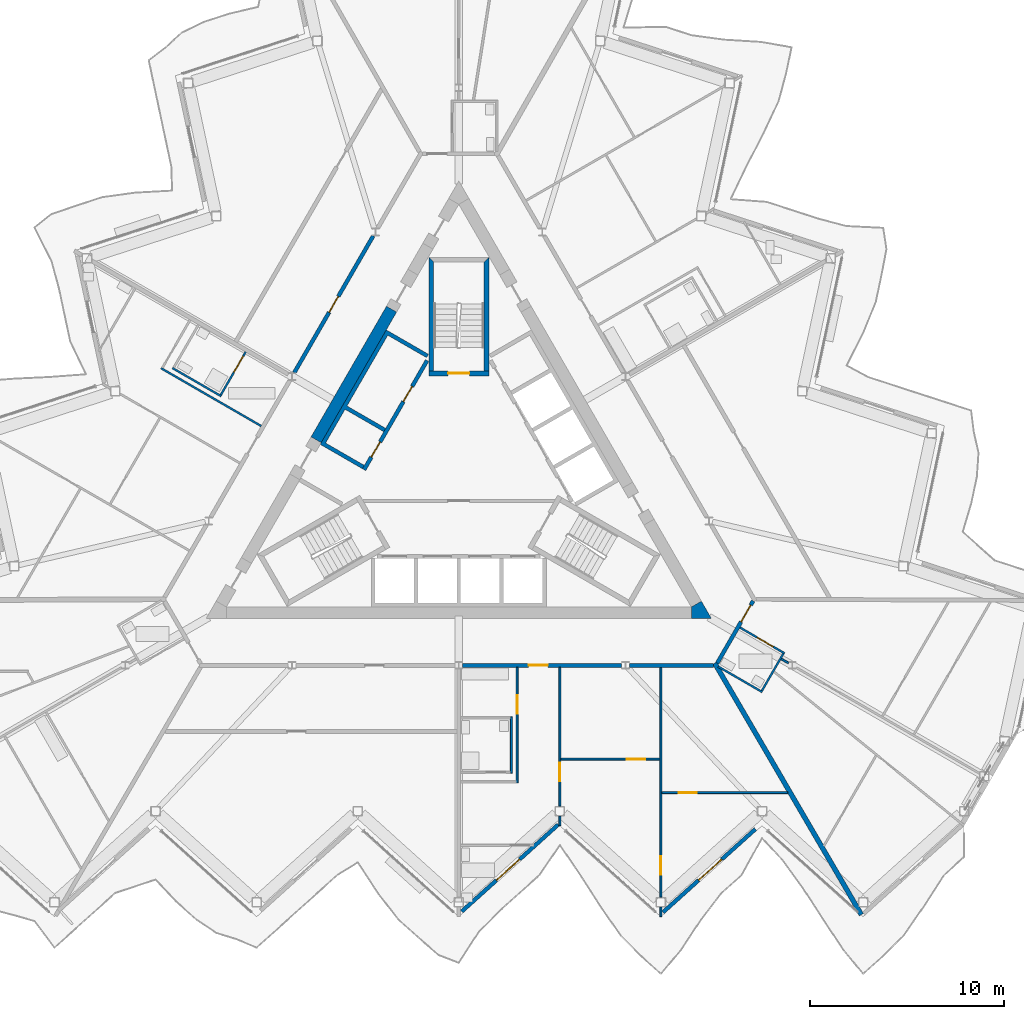
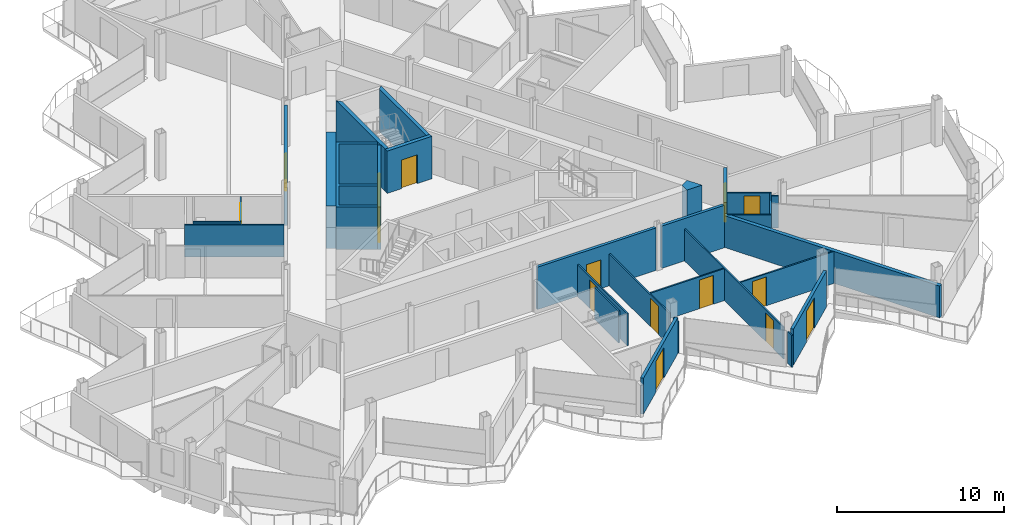
# One storey, part 15 of 27: 29 walls, 15 doors, 15 openings.
"""IFC4 building model written with IfcOpenShell, lengths in metres."""

from ifc_helpers import new_model, si_unit, direction, frame, frame_2d, origin, place, context, subcontext, project, spatial, polyline, rectangle, outline, extrude, material, layer, layer_set, type_object, element, fill, save


model = new_model("IFC4")

# Units and contexts
model_context = context("Model", 3, precision=1e-05, world=origin(), true_north=direction((0.0, 1.0)))
body_context = subcontext(model_context, "Body", "Model", "MODEL_VIEW")
ifc_project = project(units=[si_unit("LENGTHUNIT", "METRE"), si_unit("AREAUNIT", "SQUARE_METRE"), si_unit("VOLUMEUNIT", "CUBIC_METRE"), si_unit("PLANEANGLEUNIT", "RADIAN"), si_unit("MASSUNIT", "GRAM", prefix="KILO")], contexts=[model_context])

# Site, building, storey
site_placement = place(None, origin())
site = spatial("IfcSite", under=ifc_project, at=site_placement, CompositionType="ELEMENT")
building_placement = place(site_placement, origin())
building = spatial("IfcBuilding", under=site, at=building_placement, Name="Cormorant Prow Tower", CompositionType="ELEMENT")
storey_placement = place(building_placement, frame((0.0, 0.0, 361.0)))
storey = spatial("IfcBuildingStorey", under=building, at=storey_placement, Name="L80", CompositionType="ELEMENT", Elevation=361.0)

# Walls
ifc_material_1 = material(Name="Concrete 8000 psi", Category="concrete")
ifc_layer_1 = layer(ifc_material_1, 0.60009765625)
ifc_layer_set_1 = layer_set([ifc_layer_1], Name="Concrete 8000 psi")
wall_type_1 = type_object("IfcWallType", Name="Core shear wall 600", PredefinedType="SHEAR", material=ifc_layer_set_1)
wall_1_placement = place(storey_placement, frame((-3.460693359375, 8.416748046875, 0.0), z_axis=(0.0, 0.0, 1.0), x_axis=(-0.50000391502, -0.866023143435, 0.0)))
element("IfcWall", 1, at=wall_1_placement, inside=storey, type_object=wall_type_1, Name="Core wall", PredefinedType="SHEAR", context=body_context, shape_type="SweptSolid", body=[
    extrude(rectangle(XDim=7.7587890625, YDim=0.60009765625, at=frame_2d((3.87939453125, 0.0))), origin(), (0.0, 0.0, 1.0), 3.10009765625),
])
wall_2_placement = place(storey_placement, origin())
element("IfcWall", 2, at=wall_2_placement, inside=storey, type_object=wall_type_1, Name="Core wall corner", PredefinedType="SHEAR", context=body_context, shape_type="SweptSolid", body=[
    extrude(outline(polyline([(11.960693359375, -7.505615234375), (11.960693359375, -6.905517578125), (12.48046875, -6.605712890625), (13.0, -7.505615234375), (11.960693359375, -7.505615234375)])), origin(), (0.0, 0.0, 1.0), 3.10009765625),
])

# Wall, opening, door
ifc_material_2 = material(Name="Gypsum board corridor wall")
ifc_layer_2 = layer(ifc_material_2, 0.199951171875)
ifc_layer_set_2 = layer_set([ifc_layer_2], Name="Gypsum board corridor wall")
wall_type_2 = type_object("IfcWallType", Name="Corridor wall 200", PredefinedType="PARTITIONING", material=ifc_layer_set_2)
wall_3_placement = place(storey_placement, frame((0.197021484375, -9.905517578125, 0.0), z_axis=(0.0, 0.0, 1.0), x_axis=(1.0, 0.0, 0.0)))
wall_3 = element("IfcWall", 3, at=wall_3_placement, inside=storey, type_object=wall_type_2, Name="Corridor wall", PredefinedType="PARTITIONING", context=body_context, shape_type="SweptSolid", body=[
    extrude(rectangle(XDim=8.1845703125, YDim=0.199951171875, at=frame_2d((4.09228515625, 0.0))), origin(), (0.0, 0.0, 1.0), 3.10009765625),
])
opening_1_placement = place(wall_3_placement, frame((3.3896484375, 0.0, 0.0)))
opening_1 = element("IfcOpeningElement", 4, at=opening_1_placement, cuts=wall_3, Name="Opening L80-F03", PredefinedType="OPENING", context=body_context, shape_type="SweptSolid", body=[
    extrude(rectangle(XDim=1.0, YDim=2.10009765625, at=frame_2d((0.5, 1.050048828125))), frame((0.0, 0.10986328125, 0.0), z_axis=(0.0, -1.0, 0.0), x_axis=(1.0, 0.0, 0.0)), (0.0, 0.0, 1.0), 0.219970703125),
])
ifc_material_3 = material(Name="Timber door leaf", Category="wood")
door_type_1 = type_object("IfcDoorType", Name="Flat or room entrance door 1000x2100", OperationType="NOTDEFINED", PredefinedType="DOOR", material=ifc_material_3)
door_1_placement = place(opening_1_placement, origin())
door_1 = element("IfcDoor", 5, at=door_1_placement, inside=storey, type_object=door_type_1, Name="Living room door", OperationType="SINGLE_SWING_LEFT", OverallHeight=2.10009765625, OverallWidth=1.0, PredefinedType="DOOR", context=body_context, shape_type="SweptSolid", body=[
    extrude(rectangle(XDim=1.0, YDim=2.10009765625, at=frame_2d((0.5, 1.050048828125))), frame((0.0, 0.02490234375, 0.0), z_axis=(0.0, -1.0, 0.0), x_axis=(1.0, 0.0, 0.0)), (0.0, 0.0, 1.0), 0.050048828125),
])
fill(opening_1, door_1)

wall_4_placement = place(storey_placement, frame((-8.464599609375, 5.14990234375, 0.0), z_axis=(0.0, 0.0, 1.0), x_axis=(0.499992155518, 0.866029932751, 0.0)))
wall_4 = element("IfcWall", 6, at=wall_4_placement, inside=storey, type_object=wall_type_2, Name="Corridor wall", PredefinedType="PARTITIONING", context=body_context, shape_type="SweptSolid", body=[
    extrude(rectangle(XDim=8.123291015625, YDim=0.199951171875, at=frame_2d((4.0615234375, 0.0))), origin(), (0.0, 0.0, 1.0), 3.10009765625),
])
opening_2_placement = place(wall_4_placement, frame((3.586669921875, 0.0, 0.0)))
opening_2 = element("IfcOpeningElement", 7, at=opening_2_placement, cuts=wall_4, Name="Opening L80-F35", PredefinedType="OPENING", context=body_context, shape_type="SweptSolid", body=[
    extrude(rectangle(XDim=0.949951171875, YDim=2.10009765625, at=frame_2d((0.47509765625, 1.050048828125))), frame((0.0, 0.10986328125, 0.0), z_axis=(0.0, -1.0, 0.0), x_axis=(1.0, 0.0, 0.0)), (0.0, 0.0, 1.0), 0.219970703125),
])
ifc_material_4 = material(Name="Timber door leaf", Category="wood")
door_type_2 = type_object("IfcDoorType", Name="Store door 950x2100", OperationType="NOTDEFINED", PredefinedType="DOOR", material=ifc_material_4)
door_2_placement = place(opening_2_placement, origin())
door_2 = element("IfcDoor", 8, at=door_2_placement, inside=storey, type_object=door_type_2, Name="Refuse room door", OperationType="SINGLE_SWING_RIGHT", OverallHeight=2.10009765625, OverallWidth=0.949951171875, PredefinedType="DOOR", context=body_context, shape_type="SweptSolid", body=[
    extrude(rectangle(XDim=0.949951171875, YDim=2.10009765625, at=frame_2d((0.47509765625, 1.050048828125))), frame((0.0, 0.02490234375, 0.0), z_axis=(0.0, -1.0, 0.0), x_axis=(1.0, 0.0, 0.0)), (0.0, 0.0, 1.0), 0.050048828125),
])
fill(opening_2, door_2)

# Wall
wall_5_placement = place(storey_placement, frame((8.775390625, -9.905517578125, 0.0), z_axis=(0.0, 0.0, 1.0), x_axis=(1.0, 0.0, 0.0)))
element("IfcWall", 9, at=wall_5_placement, inside=storey, type_object=wall_type_2, Name="Corridor wall", PredefinedType="PARTITIONING", context=body_context, shape_type="SweptSolid", body=[
    extrude(rectangle(XDim=4.33056640625, YDim=0.199951171875, at=frame_2d((2.165283203125, 0.0))), origin(), (0.0, 0.0, 1.0), 3.10009765625),
])

# Wall, opening, door
wall_6_placement = place(storey_placement, frame((13.29345703125, -9.79736328125, 0.0), z_axis=(0.0, 0.0, 1.0), x_axis=(0.499977520935, 0.86603838169, 0.0)))
wall_6 = element("IfcWall", 10, at=wall_6_placement, inside=storey, type_object=wall_type_2, Name="Corridor wall", PredefinedType="PARTITIONING", context=body_context, shape_type="SweptSolid", body=[
    extrude(rectangle(XDim=3.700927734375, YDim=0.199951171875, at=frame_2d((1.8505859375, 0.0))), origin(), (0.0, 0.0, 1.0), 3.10009765625),
])
opening_3_placement = place(wall_6_placement, frame((2.450927734375, 0.0, 0.0)))
opening_3 = element("IfcOpeningElement", 11, at=opening_3_placement, cuts=wall_6, Name="Opening L80-F11", PredefinedType="OPENING", context=body_context, shape_type="SweptSolid", body=[
    extrude(rectangle(XDim=1.0, YDim=2.10009765625, at=frame_2d((0.5, 1.050048828125))), frame((0.0, 0.10986328125, 0.0), z_axis=(0.0, -1.0, 0.0), x_axis=(1.0, 0.0, 0.0)), (0.0, 0.0, 1.0), 0.219970703125),
])
door_3_placement = place(opening_3_placement, origin())
door_3 = element("IfcDoor", 12, at=door_3_placement, inside=storey, type_object=door_type_1, Name="Living room door", OperationType="SINGLE_SWING_RIGHT", OverallHeight=2.10009765625, OverallWidth=1.0, PredefinedType="DOOR", context=body_context, shape_type="SweptSolid", body=[
    extrude(rectangle(XDim=1.0, YDim=2.10009765625, at=frame_2d((0.5, 1.050048828125))), frame((0.0, 0.02490234375, 0.0), z_axis=(0.0, -1.0, 0.0), x_axis=(1.0, 0.0, 0.0)), (0.0, 0.0, 1.0), 0.050048828125),
])
fill(opening_3, door_3)

ifc_material_5 = material(Name="Gypsum board partition")
ifc_layer_3 = layer(ifc_material_5, 0.10009765625)
ifc_layer_set_3 = layer_set([ifc_layer_3], Name="Gypsum board partition")
wall_type_3 = type_object("IfcWallType", Name="Internal partition 100", PredefinedType="PARTITIONING", material=ifc_layer_set_3)
wall_7_placement = place(storey_placement, frame((10.39990234375, -21.827880859375, 0.0), z_axis=(0.0, 0.0, 1.0), x_axis=(0.0, 1.0, 0.0)))
wall_7 = element("IfcWall", 13, at=wall_7_placement, inside=storey, type_object=wall_type_3, Name="Internal partition", PredefinedType="PARTITIONING", context=body_context, shape_type="SweptSolid", body=[
    extrude(rectangle(XDim=11.822265625, YDim=0.10009765625, at=frame_2d((5.9111328125, 0.0))), origin(), (0.0, 0.0, 1.0), 2.330078125),
])
opening_4_placement = place(wall_7_placement, frame((1.15625, 0.0, 0.0)))
opening_4 = element("IfcOpeningElement", 14, at=opening_4_placement, cuts=wall_7, Name="Opening L80-F08", PredefinedType="OPENING", context=body_context, shape_type="SweptSolid", body=[
    extrude(rectangle(XDim=0.949951171875, YDim=2.10009765625, at=frame_2d((0.47509765625, 1.050048828125))), frame((0.0, 0.06005859375, 0.0), z_axis=(0.0, -1.0, 0.0), x_axis=(1.0, 0.0, 0.0)), (0.0, 0.0, 1.0), 0.1201171875),
])
ifc_material_6 = material(Name="Timber door leaf", Category="wood")
door_type_3 = type_object("IfcDoorType", Name="Bathroom door 950x2100", OperationType="NOTDEFINED", PredefinedType="DOOR", material=ifc_material_6)
door_4_placement = place(opening_4_placement, origin())
door_4 = element("IfcDoor", 15, at=door_4_placement, inside=storey, type_object=door_type_3, Name="Bedroom door", OperationType="SINGLE_SWING_LEFT", OverallHeight=2.10009765625, OverallWidth=0.949951171875, PredefinedType="DOOR", context=body_context, shape_type="SweptSolid", body=[
    extrude(rectangle(XDim=0.949951171875, YDim=2.10009765625, at=frame_2d((0.47509765625, 1.050048828125))), frame((0.0, 0.02490234375, 0.0), z_axis=(0.0, -1.0, 0.0), x_axis=(1.0, 0.0, 0.0)), (0.0, 0.0, 1.0), 0.050048828125),
])
fill(opening_4, door_4)

wall_8_placement = place(storey_placement, frame((5.199951171875, -17.145751953125, 0.0), z_axis=(0.0, 0.0, 1.0), x_axis=(0.0, 1.0, 0.0)))
wall_8 = element("IfcWall", 16, at=wall_8_placement, inside=storey, type_object=wall_type_3, Name="Internal partition", PredefinedType="PARTITIONING", context=body_context, shape_type="SweptSolid", body=[
    extrude(rectangle(XDim=7.14013671875, YDim=0.10009765625, at=frame_2d((3.570068359375, 0.0))), origin(), (0.0, 0.0, 1.0), 2.330078125),
])
opening_5_placement = place(wall_8_placement, frame((1.26611328125, 0.0, 0.0)))
opening_5 = element("IfcOpeningElement", 17, at=opening_5_placement, cuts=wall_8, Name="Opening L80-F06", PredefinedType="OPENING", context=body_context, shape_type="SweptSolid", body=[
    extrude(rectangle(XDim=0.949951171875, YDim=2.10009765625, at=frame_2d((0.47509765625, 1.050048828125))), frame((0.0, 0.06005859375, 0.0), z_axis=(0.0, -1.0, 0.0), x_axis=(1.0, 0.0, 0.0)), (0.0, 0.0, 1.0), 0.1201171875),
])
door_5_placement = place(opening_5_placement, origin())
door_5 = element("IfcDoor", 18, at=door_5_placement, inside=storey, type_object=door_type_3, Name="Living room door", OperationType="SINGLE_SWING_RIGHT", OverallHeight=2.10009765625, OverallWidth=0.949951171875, PredefinedType="DOOR", context=body_context, shape_type="SweptSolid", body=[
    extrude(rectangle(XDim=0.949951171875, YDim=2.10009765625, at=frame_2d((0.47509765625, 1.050048828125))), frame((0.0, 0.02490234375, 0.0), z_axis=(0.0, -1.0, 0.0), x_axis=(1.0, 0.0, 0.0)), (0.0, 0.0, 1.0), 0.050048828125),
])
fill(opening_5, door_5)

wall_9_placement = place(storey_placement, frame((10.449951171875, -16.452880859375, 0.0), z_axis=(0.0, 0.0, 1.0), x_axis=(1.0, 0.0, 0.0)))
wall_9 = element("IfcWall", 19, at=wall_9_placement, inside=storey, type_object=wall_type_3, Name="Internal partition", PredefinedType="PARTITIONING", context=body_context, shape_type="SweptSolid", body=[
    extrude(rectangle(XDim=6.472900390625, YDim=0.10009765625, at=frame_2d((3.236328125, 0.0))), origin(), (0.0, 0.0, 1.0), 2.330078125),
])
opening_6_placement = place(wall_9_placement, frame((0.852783203125, 0.0, 0.0)))
opening_6 = element("IfcOpeningElement", 20, at=opening_6_placement, cuts=wall_9, Name="Opening L80-F09", PredefinedType="OPENING", context=body_context, shape_type="SweptSolid", body=[
    extrude(rectangle(XDim=0.949951171875, YDim=2.10009765625, at=frame_2d((0.47509765625, 1.050048828125))), frame((0.0, 0.06005859375, 0.0), z_axis=(0.0, -1.0, 0.0), x_axis=(1.0, 0.0, 0.0)), (0.0, 0.0, 1.0), 0.1201171875),
])
door_6_placement = place(opening_6_placement, origin())
door_6 = element("IfcDoor", 21, at=door_6_placement, inside=storey, type_object=door_type_3, Name="Bedroom door", OperationType="SINGLE_SWING_LEFT", OverallHeight=2.10009765625, OverallWidth=0.949951171875, PredefinedType="DOOR", context=body_context, shape_type="SweptSolid", body=[
    extrude(rectangle(XDim=0.949951171875, YDim=2.10009765625, at=frame_2d((0.47509765625, 1.050048828125))), frame((0.0, 0.02490234375, 0.0), z_axis=(0.0, -1.0, 0.0), x_axis=(1.0, 0.0, 0.0)), (0.0, 0.0, 1.0), 0.050048828125),
])
fill(opening_6, door_6)

wall_10_placement = place(storey_placement, frame((3.0, -15.95556640625, 0.0), z_axis=(0.0, 0.0, 1.0), x_axis=(0.0, 1.0, 0.0)))
wall_10 = element("IfcWall", 22, at=wall_10_placement, inside=storey, type_object=wall_type_3, Name="Internal partition", PredefinedType="PARTITIONING", context=body_context, shape_type="SweptSolid", body=[
    extrude(rectangle(XDim=5.949951171875, YDim=0.10009765625, at=frame_2d((2.97509765625, 0.0))), origin(), (0.0, 0.0, 1.0), 2.330078125),
])
opening_7_placement = place(wall_10_placement, frame((3.550048828125, 0.0, 0.0)))
opening_7 = element("IfcOpeningElement", 23, at=opening_7_placement, cuts=wall_10, Name="Opening L80-F05", PredefinedType="OPENING", context=body_context, shape_type="SweptSolid", body=[
    extrude(rectangle(XDim=0.949951171875, YDim=2.10009765625, at=frame_2d((0.47509765625, 1.050048828125))), frame((0.0, 0.06005859375, 0.0), z_axis=(0.0, -1.0, 0.0), x_axis=(1.0, 0.0, 0.0)), (0.0, 0.0, 1.0), 0.1201171875),
])
door_7_placement = place(opening_7_placement, origin())
door_7 = element("IfcDoor", 24, at=door_7_placement, inside=storey, type_object=door_type_3, Name="Living room door", OperationType="SINGLE_SWING_LEFT", OverallHeight=2.10009765625, OverallWidth=0.949951171875, PredefinedType="DOOR", context=body_context, shape_type="SweptSolid", body=[
    extrude(rectangle(XDim=0.949951171875, YDim=2.10009765625, at=frame_2d((0.47509765625, 1.050048828125))), frame((0.0, 0.02490234375, 0.0), z_axis=(0.0, -1.0, 0.0), x_axis=(1.0, 0.0, 0.0)), (0.0, 0.0, 1.0), 0.050048828125),
])
fill(opening_7, door_7)

# Wall
wall_11_placement = place(storey_placement, frame((-15.31787109375, 5.379638671875, 0.0), z_axis=(0.0, 0.0, 1.0), x_axis=(0.866035260786, -0.499982926783, 0.0)))
element("IfcWall", 25, at=wall_11_placement, inside=storey, type_object=wall_type_3, Name="Internal partition", PredefinedType="PARTITIONING", context=body_context, shape_type="SweptSolid", body=[
    extrude(rectangle(XDim=5.949951171875, YDim=0.10009765625, at=frame_2d((2.97509765625, 0.0))), origin(), (0.0, 0.0, 1.0), 2.330078125),
])

# Wall, opening, door
wall_12_placement = place(storey_placement, frame((5.25, -14.729248046875, 0.0), z_axis=(0.0, 0.0, 1.0), x_axis=(1.0, 0.0, 0.0)))
wall_12 = element("IfcWall", 26, at=wall_12_placement, inside=storey, type_object=wall_type_3, Name="Internal partition", PredefinedType="PARTITIONING", context=body_context, shape_type="SweptSolid", body=[
    extrude(rectangle(XDim=5.10009765625, YDim=0.10009765625, at=frame_2d((2.550048828125, 0.0))), origin(), (0.0, 0.0, 1.0), 2.330078125),
])
opening_8_placement = place(wall_12_placement, frame((3.39306640625, 0.0, 0.0)))
opening_8 = element("IfcOpeningElement", 27, at=opening_8_placement, cuts=wall_12, Name="Opening L80-F07", PredefinedType="OPENING", context=body_context, shape_type="SweptSolid", body=[
    extrude(rectangle(XDim=0.949951171875, YDim=2.10009765625, at=frame_2d((0.47509765625, 1.050048828125))), frame((0.0, 0.06005859375, 0.0), z_axis=(0.0, -1.0, 0.0), x_axis=(1.0, 0.0, 0.0)), (0.0, 0.0, 1.0), 0.1201171875),
])
door_8_placement = place(opening_8_placement, origin())
door_8 = element("IfcDoor", 28, at=door_8_placement, inside=storey, type_object=door_type_3, Name="Bedroom door", OperationType="SINGLE_SWING_RIGHT", OverallHeight=2.10009765625, OverallWidth=0.949951171875, PredefinedType="DOOR", context=body_context, shape_type="SweptSolid", body=[
    extrude(rectangle(XDim=0.949951171875, YDim=2.10009765625, at=frame_2d((0.47509765625, 1.050048828125))), frame((0.0, 0.02490234375, 0.0), z_axis=(0.0, -1.0, 0.0), x_axis=(1.0, 0.0, 0.0)), (0.0, 0.0, 1.0), 0.050048828125),
])
fill(opening_8, door_8)

# Walls
for number, where, z_axis, x_axis, name in (
    (29, (-14.73486328125, 5.389404296875, 0.0), (0.0, 0.0, 1.0), (0.866032775405, -0.499987231761, 0.0), "Internal partition"),
    (30, (2.699951171875, -15.45556640625, 0.0), (0.0, 0.0, 1.0), (0.0, 1.0, 0.0), "Internal partition"),
):
    element("IfcWall", number, at=place(storey_placement, frame(where, z_axis=z_axis, x_axis=x_axis)), inside=storey, type_object=wall_type_3, Name=name, PredefinedType="PARTITIONING", context=body_context, shape_type="SweptSolid", body=[
        extrude(rectangle(XDim=2.89990234375, YDim=0.10009765625, at=frame_2d((1.449951171875, 0.0))), origin(), (0.0, 0.0, 1.0), 2.330078125),
    ])

# Wall, opening, door
wall_13_placement = place(storey_placement, frame((-12.24169921875, 4.0078125, 0.0), z_axis=(0.0, 0.0, 1.0), x_axis=(0.499948979701, 0.866054858364, 0.0)))
wall_13 = element("IfcWall", 31, at=wall_13_placement, inside=storey, type_object=wall_type_3, Name="Internal partition", PredefinedType="PARTITIONING", context=body_context, shape_type="SweptSolid", body=[
    extrude(rectangle(XDim=2.550048828125, YDim=0.10009765625, at=frame_2d((1.27490234375, 0.0))), origin(), (0.0, 0.0, 1.0), 2.330078125),
])
opening_9_placement = place(wall_13_placement, frame((1.35009765625, 0.0, 0.0)))
opening_9 = element("IfcOpeningElement", 32, at=opening_9_placement, cuts=wall_13, Name="Opening L80-F44", PredefinedType="OPENING", context=body_context, shape_type="SweptSolid", body=[
    extrude(rectangle(XDim=0.949951171875, YDim=2.10009765625, at=frame_2d((0.47509765625, 1.050048828125))), frame((0.0, 0.06005859375, 0.0), z_axis=(0.0, -1.0, 0.0), x_axis=(1.0, 0.0, 0.0)), (0.0, 0.0, 1.0), 0.1201171875),
])
door_9_placement = place(opening_9_placement, origin())
door_9 = element("IfcDoor", 33, at=door_9_placement, inside=storey, type_object=door_type_3, Name="Kitchen door", OperationType="SINGLE_SWING_RIGHT", OverallHeight=2.10009765625, OverallWidth=0.949951171875, PredefinedType="DOOR", context=body_context, shape_type="SweptSolid", body=[
    extrude(rectangle(XDim=0.949951171875, YDim=2.10009765625, at=frame_2d((0.47509765625, 1.050048828125))), frame((0.0, 0.02490234375, 0.0), z_axis=(0.0, -1.0, 0.0), x_axis=(1.0, 0.0, 0.0)), (0.0, 0.0, 1.0), 0.050048828125),
])
fill(opening_9, door_9)

wall_14_placement = place(storey_placement, frame((14.46728515625, -7.963623046875, 0.0), z_axis=(0.0, 0.0, 1.0), x_axis=(0.86601223543, -0.500022807565, 0.0)))
wall_14 = element("IfcWall", 34, at=wall_14_placement, inside=storey, type_object=wall_type_3, Name="Internal partition", PredefinedType="PARTITIONING", context=body_context, shape_type="SweptSolid", body=[
    extrude(rectangle(XDim=2.650390625, YDim=0.10009765625, at=frame_2d((1.3251953125, 0.0))), origin(), (0.0, 0.0, 1.0), 2.330078125),
])
opening_10_placement = place(wall_14_placement, frame((1.013671875, 0.0, 0.0)))
opening_10 = element("IfcOpeningElement", 35, at=opening_10_placement, cuts=wall_14, Name="Opening L80-F12", PredefinedType="OPENING", context=body_context, shape_type="SweptSolid", body=[
    extrude(rectangle(XDim=0.949951171875, YDim=2.10009765625, at=frame_2d((0.47509765625, 1.050048828125))), frame((0.0, 0.06005859375, 0.0), z_axis=(0.0, -1.0, 0.0), x_axis=(1.0, 0.0, 0.0)), (0.0, 0.0, 1.0), 0.1201171875),
])
door_10_placement = place(opening_10_placement, origin())
door_10 = element("IfcDoor", 36, at=door_10_placement, inside=storey, type_object=door_type_3, Name="Living room door", OperationType="SINGLE_SWING_RIGHT", OverallHeight=2.10009765625, OverallWidth=0.949951171875, PredefinedType="DOOR", context=body_context, shape_type="SweptSolid", body=[
    extrude(rectangle(XDim=0.949951171875, YDim=2.10009765625, at=frame_2d((0.47509765625, 1.050048828125))), frame((0.0, 0.02490234375, 0.0), z_axis=(0.0, -1.0, 0.0), x_axis=(1.0, 0.0, 0.0)), (0.0, 0.0, 1.0), 0.050048828125),
])
fill(opening_10, door_10)

# Walls
wall_15_placement = place(storey_placement, frame((13.339111328125, -9.968017578125, 0.0), z_axis=(0.0, 0.0, 1.0), x_axis=(0.866013657776, -0.500020344131, 0.0)))
element("IfcWall", 37, at=wall_15_placement, inside=storey, type_object=wall_type_3, Name="Internal partition", PredefinedType="PARTITIONING", context=body_context, shape_type="SweptSolid", body=[
    extrude(rectangle(XDim=2.625, YDim=0.10009765625, at=frame_2d((1.3125, 0.0))), origin(), (0.0, 0.0, 1.0), 2.330078125),
])
wall_16_placement = place(storey_placement, frame((15.593994140625, -11.21240234375, 0.0), z_axis=(0.0, 0.0, 1.0), x_axis=(0.499981787252, 0.866035918664, 0.0)))
element("IfcWall", 38, at=wall_16_placement, inside=storey, type_object=wall_type_3, Name="Internal partition", PredefinedType="PARTITIONING", context=body_context, shape_type="SweptSolid", body=[
    extrude(rectangle(XDim=2.2001953125, YDim=0.10009765625, at=frame_2d((1.10009765625, 0.0))), origin(), (0.0, 0.0, 1.0), 2.330078125),
])
for number, where, z_axis, x_axis, name in (
    (39, (10.39990234375, -22.83935546875, 0.0), (0.0, 0.0, 1.0), (0.0, 1.0, 0.0), "Internal partition"),
    (40, (5.199951171875, -18.1572265625, 0.0), (0.0, 0.0, 1.0), (0.0, 1.0, 0.0), "Internal partition"),
):
    element("IfcWall", number, at=place(storey_placement, frame(where, z_axis=z_axis, x_axis=x_axis)), inside=storey, type_object=wall_type_3, Name=name, PredefinedType="PARTITIONING", context=body_context, shape_type="SweptSolid", body=[
        extrude(rectangle(XDim=0.491455078125, YDim=0.10009765625, at=frame_2d((0.24560546875, 0.0))), origin(), (0.0, 0.0, 1.0), 2.330078125),
    ])
wall_17_placement = place(storey_placement, frame((16.593994140625, -9.58056640625, 0.0), z_axis=(0.0, 0.0, 1.0), x_axis=(0.866137484628, -0.499805820016, 0.0)))
element("IfcWall", 41, at=wall_17_placement, inside=storey, type_object=wall_type_3, Name="Internal partition", PredefinedType="PARTITIONING", context=body_context, shape_type="SweptSolid", body=[
    extrude(rectangle(XDim=0.422607421875, YDim=0.10009765625, at=frame_2d((0.21142578125, 0.0))), origin(), (0.0, 0.0, 1.0), 2.330078125),
])

# Wall, openings, doors
ifc_material_7 = material(Name="Concrete 5000 psi", Category="concrete")
ifc_layer_4 = layer(ifc_material_7, 0.199951171875)
ifc_layer_set_4 = layer_set([ifc_layer_4], Name="Concrete 5000 psi")
wall_type_4 = type_object("IfcWallType", Name="Lift lobby wall 200", PredefinedType="SOLIDWALL", material=ifc_layer_set_4)
wall_18_placement = place(storey_placement, frame((-1.630615234375, 5.775634765625, 0.0), z_axis=(0.0, 0.0, 1.0), x_axis=(-0.499992876559, -0.866029516466, 0.0)))
wall_18 = element("IfcWall", 42, at=wall_18_placement, inside=storey, type_object=wall_type_4, Name="Lift lobby wall, WNW block", PredefinedType="SOLIDWALL", context=body_context, shape_type="SweptSolid", body=[
    extrude(rectangle(XDim=6.486328125, YDim=0.199951171875, at=frame_2d((3.2431640625, 0.0))), origin(), (0.0, 0.0, 1.0), 3.10009765625),
])
opening_11_placement = place(wall_18_placement, frame((1.53662109375, 0.0, 0.0)))
opening_11 = element("IfcOpeningElement", 43, at=opening_11_placement, cuts=wall_18, Name="Opening L80-C09", PredefinedType="OPENING", context=body_context, shape_type="SweptSolid", body=[
    extrude(rectangle(XDim=0.89990234375, YDim=2.10009765625, at=frame_2d((0.449951171875, 1.050048828125))), frame((0.0, 0.10986328125, 0.0), z_axis=(0.0, -1.0, 0.0), x_axis=(1.0, 0.0, 0.0)), (0.0, 0.0, 1.0), 0.219970703125),
])
opening_12_placement = place(wall_18_placement, frame((4.836669921875, 0.0, 0.0)))
opening_12 = element("IfcOpeningElement", 44, at=opening_12_placement, cuts=wall_18, Name="Opening L80-C10", PredefinedType="OPENING", context=body_context, shape_type="SweptSolid", body=[
    extrude(rectangle(XDim=0.89990234375, YDim=2.10009765625, at=frame_2d((0.449951171875, 1.050048828125))), frame((0.0, 0.10986328125, 0.0), z_axis=(0.0, -1.0, 0.0), x_axis=(1.0, 0.0, 0.0)), (0.0, 0.0, 1.0), 0.219970703125),
])
ifc_material_8 = material(Name="Painted steel", Category="steel")
door_type_4 = type_object("IfcDoorType", Name="Service door 900x2100", OperationType="NOTDEFINED", PredefinedType="DOOR", material=ifc_material_8)
door_11_placement = place(opening_11_placement, origin())
door_11 = element("IfcDoor", 45, at=door_11_placement, inside=storey, type_object=door_type_4, Name="Service door, Telecom room", OperationType="SINGLE_SWING_LEFT", OverallHeight=2.10009765625, OverallWidth=0.89990234375, PredefinedType="DOOR", context=body_context, shape_type="SweptSolid", body=[
    extrude(rectangle(XDim=0.89990234375, YDim=2.10009765625, at=frame_2d((0.449951171875, 1.050048828125))), frame((0.0, 0.02490234375, 0.0), z_axis=(0.0, -1.0, 0.0), x_axis=(1.0, 0.0, 0.0)), (0.0, 0.0, 1.0), 0.050048828125),
])
fill(opening_11, door_11)
door_12_placement = place(opening_12_placement, origin())
door_12 = element("IfcDoor", 46, at=door_12_placement, inside=storey, type_object=door_type_4, Name="Service door, Electrical room", OperationType="SINGLE_SWING_RIGHT", OverallHeight=2.10009765625, OverallWidth=0.89990234375, PredefinedType="DOOR", context=body_context, shape_type="SweptSolid", body=[
    extrude(rectangle(XDim=0.89990234375, YDim=2.10009765625, at=frame_2d((0.449951171875, 1.050048828125))), frame((0.0, 0.02490234375, 0.0), z_axis=(0.0, -1.0, 0.0), x_axis=(1.0, 0.0, 0.0)), (0.0, 0.0, 1.0), 0.050048828125),
])
fill(opening_12, door_12)

# Walls
ifc_material_9 = material(Name="Concrete 8000 psi", Category="concrete")
ifc_layer_5 = layer(ifc_material_9, 0.199951171875)
ifc_layer_set_5 = layer_set([ifc_layer_5], Name="Concrete 8000 psi")
wall_type_5 = type_object("IfcWallType", Name="Lift shaft wall 200", PredefinedType="SHEAR", material=ifc_layer_set_5)
wall_19_placement = place(storey_placement, origin())
element("IfcWall", 47, at=wall_19_placement, inside=storey, type_object=wall_type_5, Name="Lift shaft walls, WNW block", PredefinedType="SHEAR", context=body_context, shape_type="SweptSolid", body=[
    extrude(outline(polyline([(-4.96044921875, 0.2080078125), (-7.130859375, 1.461181640625), (-3.730712890625, 7.35009765625), (-1.560546875, 6.09716796875), (-1.660400390625, 5.923828125), (-3.65234375, 7.073974609375), (-5.75244140625, 3.4365234375), (-3.760498046875, 2.28662109375), (-3.860595703125, 2.11328125), (-5.852294921875, 3.263427734375), (-6.852294921875, 1.53125), (-4.860595703125, 0.38134765625), (-4.96044921875, 0.2080078125)])), origin(), (0.0, 0.0, 1.0), 3.10009765625),
])
ifc_material_10 = material(Name="Concrete 8000 psi", Category="concrete")
ifc_layer_6 = layer(ifc_material_10, 0.25)
ifc_layer_set_6 = layer_set([ifc_layer_6], Name="Concrete 8000 psi")
wall_type_6 = type_object("IfcWallType", Name="Stair wall 250", PredefinedType="SHEAR", material=ifc_layer_set_6)
wall_20_placement = place(storey_placement, origin())
element("IfcWall", 48, at=wall_20_placement, inside=storey, type_object=wall_type_6, Name="Stair ST3 enclosure wall (flank)", PredefinedType="SHEAR", context=body_context, shape_type="SweptSolid", body=[
    extrude(outline(polyline([(1.5439453125, 5.23681640625), (1.5439453125, 11.0869140625), (1.2939453125, 10.8369140625), (1.2939453125, 5.23681640625), (1.5439453125, 5.23681640625)])), origin(), (0.0, 0.0, 1.0), 3.10009765625),
])
wall_21_placement = place(storey_placement, origin())
element("IfcWall", 49, at=wall_21_placement, inside=storey, type_object=wall_type_6, Name="Stair ST3 enclosure wall (flank)", PredefinedType="SHEAR", context=body_context, shape_type="SweptSolid", body=[
    extrude(outline(polyline([(-1.2939453125, 10.8369140625), (-1.5439453125, 11.0869140625), (-1.5439453125, 5.23681640625), (-1.2939453125, 5.23681640625), (-1.2939453125, 10.8369140625)])), origin(), (0.0, 0.0, 1.0), 3.10009765625),
])

# Wall, opening, door
wall_22_placement = place(storey_placement, frame((1.5439453125, 5.11181640625, 0.0), z_axis=(0.0, 0.0, 1.0), x_axis=(-1.0, 0.0, 0.0)))
wall_22 = element("IfcWall", 50, at=wall_22_placement, inside=storey, type_object=wall_type_6, Name="Stair ST3 door wall", PredefinedType="SHEAR", context=body_context, shape_type="SweptSolid", body=[
    extrude(rectangle(XDim=3.087890625, YDim=0.25, at=frame_2d((1.5439453125, 0.0))), origin(), (0.0, 0.0, 1.0), 3.10009765625),
])
opening_13_placement = place(wall_22_placement, frame((0.993896484375, 0.0, 0.0)))
opening_13 = element("IfcOpeningElement", 51, at=opening_13_placement, cuts=wall_22, Name="Opening L80-C14", PredefinedType="OPENING", context=body_context, shape_type="SweptSolid", body=[
    extrude(rectangle(XDim=1.10009765625, YDim=2.10009765625, at=frame_2d((0.550048828125, 1.050048828125))), frame((0.0, 0.135009765625, 0.0), z_axis=(0.0, -1.0, 0.0), x_axis=(1.0, 0.0, 0.0)), (0.0, 0.0, 1.0), 0.27001953125),
])
ifc_material_11 = material(Name="Painted steel", Category="steel")
door_type_5 = type_object("IfcDoorType", Name="Stair door 1100x2100", OperationType="NOTDEFINED", PredefinedType="DOOR", material=ifc_material_11)
door_13_placement = place(opening_13_placement, origin())
door_13 = element("IfcDoor", 52, at=door_13_placement, inside=storey, type_object=door_type_5, Name="Stair ST3 door", OperationType="SINGLE_SWING_LEFT", OverallHeight=2.10009765625, OverallWidth=1.10009765625, PredefinedType="DOOR", context=body_context, shape_type="SweptSolid", body=[
    extrude(rectangle(XDim=1.10009765625, YDim=2.10009765625, at=frame_2d((0.550048828125, 1.050048828125))), frame((0.0, 0.02490234375, 0.0), z_axis=(0.0, -1.0, 0.0), x_axis=(1.0, 0.0, 0.0)), (0.0, 0.0, 1.0), 0.050048828125),
])
fill(opening_13, door_13)

# Wall
ifc_material_12 = material(Name="Acoustic gypsum party wall")
ifc_layer_7 = layer(ifc_material_12, 0.25)
ifc_layer_set_7 = layer_set([ifc_layer_7], Name="Acoustic gypsum party wall")
wall_type_7 = type_object("IfcWallType", Name="Suite party wall 250", PredefinedType="PARTITIONING", material=ifc_layer_set_7)
wall_23_placement = place(storey_placement, frame((13.16796875, -9.797607421875, 0.0), z_axis=(0.0, 0.0, 1.0), x_axis=(0.503632750219, -0.863917850786, 0.0)))
element("IfcWall", 53, at=wall_23_placement, inside=storey, type_object=wall_type_7, Name="Suite party wall", PredefinedType="PARTITIONING", context=body_context, shape_type="SweptSolid", body=[
    extrude(rectangle(XDim=14.97216796875, YDim=0.25, at=frame_2d((7.486083984375, 0.0))), origin(), (0.0, 0.0, 1.0), 2.330078125),
])

# Wall, opening, door
ifc_material_13 = material(Name="Terracotta", Category="masonry")
ifc_layer_8 = layer(ifc_material_13, 0.199951171875)
ifc_layer_set_8 = layer_set([ifc_layer_8], Name="Terracotta")
wall_type_8 = type_object("IfcWallType", Name="Terracotta jamb wall 200", PredefinedType="SOLIDWALL", material=ifc_layer_set_8)
wall_24_placement = place(storey_placement, frame((0.153564453125, -22.566650390625, 0.0), z_axis=(0.0, 0.0, 1.0), x_axis=(0.743150529995, 0.669124270796, 0.0)))
wall_24 = element("IfcWall", 54, at=wall_24_placement, inside=storey, type_object=wall_type_8, Name="Terracotta jamb wall S05", PredefinedType="SOLIDWALL", context=body_context, shape_type="SweptSolid", body=[
    extrude(rectangle(XDim=6.678466796875, YDim=0.199951171875, at=frame_2d((3.33935546875, 0.0))), origin(), (0.0, 0.0, 1.0), 2.6337890625),
])
opening_14_placement = place(wall_24_placement, frame((2.402099609375, 0.0, 0.0)))
opening_14 = element("IfcOpeningElement", 55, at=opening_14_placement, cuts=wall_24, Name="Opening ED80.03", PredefinedType="OPENING", context=body_context, shape_type="SweptSolid", body=[
    extrude(rectangle(XDim=1.60009765625, YDim=2.25, at=frame_2d((0.800048828125, 1.125))), frame((0.0, 0.10986328125, 0.0), z_axis=(0.0, -1.0, 0.0), x_axis=(1.0, 0.0, 0.0)), (0.0, 0.0, 1.0), 0.219970703125),
])
ifc_material_14 = material(Name="Aluminium 6063-T6", Category="aluminium")
door_type_6 = type_object("IfcDoorType", Name="Balcony door 1600x2250", OperationType="DOUBLE_DOOR_SINGLE_SWING", PredefinedType="DOOR", material=ifc_material_14)
door_14_placement = place(opening_14_placement, origin())
door_14 = element("IfcDoor", 56, at=door_14_placement, inside=storey, type_object=door_type_6, Name="Balcony door S05 ED80.03", OperationType="DOUBLE_DOOR_SINGLE_SWING", OverallHeight=2.25, OverallWidth=1.60009765625, PredefinedType="DOOR", context=body_context, shape_type="SweptSolid", body=[
    extrude(rectangle(XDim=1.60009765625, YDim=2.25, at=frame_2d((0.800048828125, 1.125))), frame((0.0, 0.02490234375, 0.0), z_axis=(0.0, -1.0, 0.0), x_axis=(1.0, 0.0, 0.0)), (0.0, 0.0, 1.0), 0.050048828125),
])
fill(opening_14, door_14)

wall_25_placement = place(storey_placement, frame((10.50341796875, -22.611572265625, 0.0), z_axis=(0.0, 0.0, 1.0), x_axis=(0.743148117717, 0.669126949939, 0.0)))
wall_25 = element("IfcWall", 57, at=wall_25_placement, inside=storey, type_object=wall_type_8, Name="Terracotta jamb wall S07", PredefinedType="SOLIDWALL", context=body_context, shape_type="SweptSolid", body=[
    extrude(rectangle(XDim=6.40185546875, YDim=0.199951171875, at=frame_2d((3.200927734375, 0.0))), origin(), (0.0, 0.0, 1.0), 2.6337890625),
])
opening_15_placement = place(wall_25_placement, frame((2.46923828125, 0.0, 0.0)))
opening_15 = element("IfcOpeningElement", 58, at=opening_15_placement, cuts=wall_25, Name="Opening ED80.04", PredefinedType="OPENING", context=body_context, shape_type="SweptSolid", body=[
    extrude(rectangle(XDim=1.60009765625, YDim=2.25, at=frame_2d((0.800048828125, 1.125))), frame((0.0, 0.10986328125, 0.0), z_axis=(0.0, -1.0, 0.0), x_axis=(1.0, 0.0, 0.0)), (0.0, 0.0, 1.0), 0.219970703125),
])
door_15_placement = place(opening_15_placement, origin())
door_15 = element("IfcDoor", 59, at=door_15_placement, inside=storey, type_object=door_type_6, Name="Balcony door S07 ED80.04", OperationType="DOUBLE_DOOR_SINGLE_SWING", OverallHeight=2.25, OverallWidth=1.60009765625, PredefinedType="DOOR", context=body_context, shape_type="SweptSolid", body=[
    extrude(rectangle(XDim=1.60009765625, YDim=2.25, at=frame_2d((0.800048828125, 1.125))), frame((0.0, 0.02490234375, 0.0), z_axis=(0.0, -1.0, 0.0), x_axis=(1.0, 0.0, 0.0)), (0.0, 0.0, 1.0), 0.050048828125),
])
fill(opening_15, door_15)

save(model, "model.ifc")
